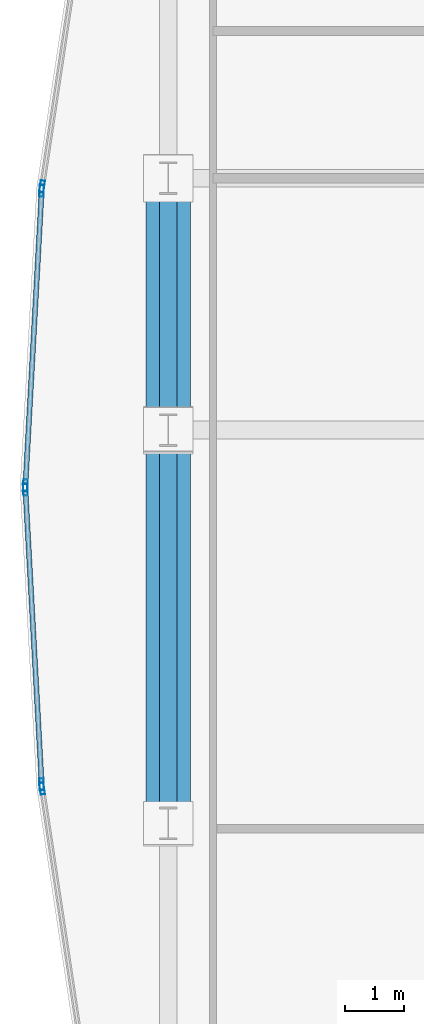
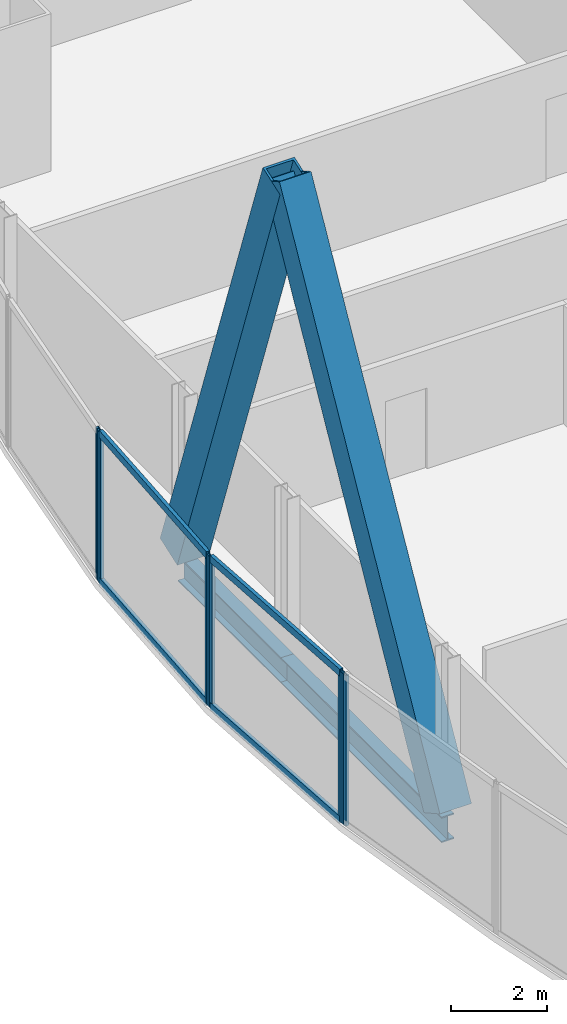
# One storey, part 10 of 36: 12 members, 2 beams, 4 elements without a shape of their own.
"""IFC4 building model written with IfcOpenShell, lengths in metres."""

from ifc_helpers import new_model, si_unit, direction, frame, origin, origin_2d, place, context, subcontext, project, spatial, hollow_rectangle, i_section, extrude, material, material_profile, profile_set, type_object, element, aggregate, save


model = new_model("IFC4")

# Units and contexts
model_context = context("Model", 3, precision=1e-05, world=origin(), true_north=direction((0.0, 1.0)))
body_context = subcontext(model_context, "Body", "Model", "MODEL_VIEW")
ifc_project = project(units=[si_unit("LENGTHUNIT", "METRE"), si_unit("AREAUNIT", "SQUARE_METRE"), si_unit("VOLUMEUNIT", "CUBIC_METRE"), si_unit("PLANEANGLEUNIT", "RADIAN"), si_unit("MASSUNIT", "GRAM", prefix="KILO")], contexts=[model_context])

# Site, building, storey
site_placement = place(None, origin())
site = spatial("IfcSite", under=ifc_project, at=site_placement, CompositionType="ELEMENT")
building_placement = place(site_placement, origin())
building = spatial("IfcBuilding", under=site, at=building_placement, Name="Khoronbel Lancet Exchange", CompositionType="ELEMENT")
storey_placement = place(building_placement, frame((0.0, 0.0, 49.800048828125)))
storey = spatial("IfcBuildingStorey", under=building, at=storey_placement, Name="L11", CompositionType="ELEMENT", Elevation=49.800048828125)

# Beams
ifc_material_1 = material(Name="Steel S355", Category="steel")
ifc_material_profile_1 = material_profile(ifc_material_1, i_section(OverallWidth=0.300048828125, OverallDepth=0.64990234375, WebThickness=0.01611328125, FlangeThickness=0.031005859375, at=origin_2d()), Name="HEB 650")
ifc_profile_set_1 = profile_set([ifc_material_profile_1], Name="Steel S355")
beam_type = type_object("IfcBeamType", Name="BM-BSP1", PredefinedType="SPANDREL", material=ifc_profile_set_1)
beam_1_placement = place(storey_placement, frame((1.27001953125, 35.699951171875, -0.505126953125), z_axis=(0.0, -1.0, 0.0), x_axis=(1.0, 0.0, 0.0)))
element("IfcBeam", 1, at=beam_1_placement, inside=storey, type_object=beam_type, Name="Level L11 perimeter spandrel beam SP18", PredefinedType="SPANDREL", context=body_context, shape_type="SweptSolid", body=[
    extrude(i_section(OverallWidth=0.300048828125, OverallDepth=0.64990234375, WebThickness=0.01611328125, FlangeThickness=0.031005859375, at=origin_2d()), origin(), (0.0, 0.0, 1.0), 4.27490234375),
])
beam_2_placement = place(storey_placement, frame((1.27001953125, 31.425048828125, -0.505126953125), z_axis=(0.0, -1.0, 0.0), x_axis=(1.0, 0.0, 0.0)))
element("IfcBeam", 2, at=beam_2_placement, inside=storey, type_object=beam_type, Name="Level L11 perimeter spandrel beam SP19", PredefinedType="SPANDREL", context=body_context, shape_type="SweptSolid", body=[
    extrude(i_section(OverallWidth=0.300048828125, OverallDepth=0.64990234375, WebThickness=0.01611328125, FlangeThickness=0.031005859375, at=origin_2d()), origin(), (0.0, 0.0, 1.0), 6.675048828125),
])

# Curtain wall, member
ifc_material_2 = material(Name="Low-E Solar Control Insulating Glass", Category="glass")
curtain_wall_type = type_object("IfcCurtainWallType", Name="CW-4", PredefinedType="NOTDEFINED", material=ifc_material_2)
curtain_wall_1_placement = place(storey_placement, origin())
curtain_wall_1 = element("IfcCurtainWall", 3, at=curtain_wall_1_placement, inside=storey, type_object=curtain_wall_type, Name="Unitised curtain wall CW-L11-E05", PredefinedType="NOTDEFINED")
ifc_material_3 = material(Name="Bronze-Anodised Aluminium 6063-T6", Category="aluminium")
ifc_material_profile_2 = material_profile(ifc_material_3, hollow_rectangle(XDim=0.074951171875, YDim=0.199951171875, WallThickness=0.0048828125, at=origin_2d()), Name="ALU MULLION 75x200")
ifc_profile_set_2 = profile_set([ifc_material_profile_2], Name="Bronze-Anodised Aluminium 6063-T6")
member_type_1 = type_object("IfcMemberType", Name="MEM-CWM2", PredefinedType="MULLION", material=ifc_profile_set_2)
member_1_placement = place(storey_placement, frame((-0.8701171875, 25.3388671875, 0.0), z_axis=(0.0, 0.0, 1.0), x_axis=(-0.988799357855, -0.149250895825, 0.0)))
member_1 = element("IfcMember", 4, at=member_1_placement, type_object=member_type_1, Name="CW4 mullion 2", PredefinedType="MULLION", context=body_context, shape_type="SweptSolid", body=[
    extrude(hollow_rectangle(XDim=0.074951171875, YDim=0.199951171875, WallThickness=0.0048828125, at=origin_2d()), origin(), (0.0, 0.0, 1.0), 3.820068359375),
])
aggregate(curtain_wall_1, [member_1])

# Curtain wall, members
curtain_wall_2_placement = place(storey_placement, origin())
curtain_wall_2 = element("IfcCurtainWall", 5, at=curtain_wall_2_placement, inside=storey, type_object=curtain_wall_type, Name="Unitised curtain wall CW-L11-E06", PredefinedType="NOTDEFINED")
member_2_placement = place(storey_placement, frame((-0.8779296875, 25.413330078125, 0.0), z_axis=(0.0, 0.0, 1.0), x_axis=(-0.998477681335, -0.05515722869, 0.0)))
member_2 = element("IfcMember", 6, at=member_2_placement, type_object=member_type_1, Name="CW4 mullion 1", PredefinedType="MULLION", context=body_context, shape_type="SweptSolid", body=[
    extrude(hollow_rectangle(XDim=0.074951171875, YDim=0.199951171875, WallThickness=0.0048828125, at=origin_2d()), origin(), (0.0, 0.0, 1.0), 3.820068359375),
])
member_3_placement = place(storey_placement, frame((-1.154052734375, 30.41259765625, 0.0), z_axis=(0.0, 0.0, 1.0), x_axis=(-0.998477681335, -0.05515722869, 0.0)))
member_3 = element("IfcMember", 7, at=member_3_placement, type_object=member_type_1, Name="CW4 mullion 2", PredefinedType="MULLION", context=body_context, shape_type="SweptSolid", body=[
    extrude(hollow_rectangle(XDim=0.074951171875, YDim=0.199951171875, WallThickness=0.0048828125, at=origin_2d()), origin(), (0.0, 0.0, 1.0), 3.820068359375),
])

curtain_wall_3_placement = place(storey_placement, origin())
curtain_wall_3 = element("IfcCurtainWall", 8, at=curtain_wall_3_placement, inside=storey, type_object=curtain_wall_type, Name="Unitised curtain wall CW-L11-E07", PredefinedType="NOTDEFINED")
member_4_placement = place(storey_placement, frame((-1.154052734375, 30.487548828125, 0.0), z_axis=(0.0, 0.0, 1.0), x_axis=(-0.998477681335, 0.05515722869, 0.0)))
member_4 = element("IfcMember", 9, at=member_4_placement, type_object=member_type_1, Name="CW4 mullion 1", PredefinedType="MULLION", context=body_context, shape_type="SweptSolid", body=[
    extrude(hollow_rectangle(XDim=0.074951171875, YDim=0.199951171875, WallThickness=0.0048828125, at=origin_2d()), origin(), (0.0, 0.0, 1.0), 3.820068359375),
])
member_5_placement = place(storey_placement, frame((-0.8779296875, 35.486572265625, 0.0), z_axis=(0.0, 0.0, 1.0), x_axis=(-0.998477681335, 0.05515722869, 0.0)))
member_5 = element("IfcMember", 10, at=member_5_placement, type_object=member_type_1, Name="CW4 mullion 2", PredefinedType="MULLION", context=body_context, shape_type="SweptSolid", body=[
    extrude(hollow_rectangle(XDim=0.074951171875, YDim=0.199951171875, WallThickness=0.0048828125, at=origin_2d()), origin(), (0.0, 0.0, 1.0), 3.820068359375),
])

# Curtain wall, member
curtain_wall_4_placement = place(storey_placement, origin())
curtain_wall_4 = element("IfcCurtainWall", 11, at=curtain_wall_4_placement, inside=storey, type_object=curtain_wall_type, Name="Unitised curtain wall CW-L11-E08", PredefinedType="NOTDEFINED")
member_6_placement = place(storey_placement, frame((-0.8701171875, 35.561279296875, 0.0), z_axis=(0.0, 0.0, 1.0), x_axis=(-0.988799357855, 0.149250895825, 0.0)))
member_6 = element("IfcMember", 12, at=member_6_placement, type_object=member_type_1, Name="CW4 mullion 1", PredefinedType="MULLION", context=body_context, shape_type="SweptSolid", body=[
    extrude(hollow_rectangle(XDim=0.074951171875, YDim=0.199951171875, WallThickness=0.0048828125, at=origin_2d()), origin(), (0.0, 0.0, 1.0), 3.820068359375),
])
aggregate(curtain_wall_4, [member_6])

# Member
ifc_material_profile_3 = material_profile(ifc_material_3, hollow_rectangle(XDim=0.0849609375, YDim=0.179931640625, WallThickness=0.0048828125, at=origin_2d()), Name="ALU TRANSOM 85x180")
ifc_profile_set_3 = profile_set([ifc_material_profile_3], Name="Bronze-Anodised Aluminium 6063-T6")
member_type_2 = type_object("IfcMemberType", Name="MEM-CWT1", PredefinedType="USERDEFINED", material=ifc_profile_set_3)
member_7_placement = place(storey_placement, frame((-0.8798828125, 25.45068359375, 0.04248046875), z_axis=(-0.05514649467, 0.998478274238, 0.0), x_axis=(-0.998478274238, -0.05514649467, 0.0)))
member_7 = element("IfcMember", 13, at=member_7_placement, type_object=member_type_2, Name="CW4 transom 1.1", ObjectType="TRANSOM", PredefinedType="USERDEFINED", context=body_context, shape_type="SweptSolid", body=[
    extrude(hollow_rectangle(XDim=0.0849609375, YDim=0.179931640625, WallThickness=0.0048828125, at=origin_2d()), origin(), (0.0, 0.0, 1.0), 4.931884765625),
])

member_8_placement = place(storey_placement, frame((-0.8798828125, 25.45068359375, 3.77734375), z_axis=(-0.05514649467, 0.998478274238, 0.0), x_axis=(-0.998478274238, -0.05514649467, 0.0)))
member_8 = element("IfcMember", 14, at=member_8_placement, type_object=member_type_2, Name="CW4 transom 1.2", ObjectType="TRANSOM", PredefinedType="USERDEFINED", context=body_context, shape_type="SweptSolid", body=[
    extrude(hollow_rectangle(XDim=0.0849609375, YDim=0.179931640625, WallThickness=0.0048828125, at=origin_2d()), origin(), (0.0, 0.0, 1.0), 4.931884765625),
])

aggregate(curtain_wall_2, [member_2, member_3, member_7, member_8])

member_9_placement = place(storey_placement, frame((-1.15185546875, 30.52490234375, 0.04248046875), z_axis=(0.05514649467, 0.998478274238, 0.0), x_axis=(-0.998478274238, 0.05514649467, 0.0)))
member_9 = element("IfcMember", 15, at=member_9_placement, type_object=member_type_2, Name="CW4 transom 1.1", ObjectType="TRANSOM", PredefinedType="USERDEFINED", context=body_context, shape_type="SweptSolid", body=[
    extrude(hollow_rectangle(XDim=0.0849609375, YDim=0.179931640625, WallThickness=0.0048828125, at=origin_2d()), origin(), (0.0, 0.0, 1.0), 4.931884765625),
])

member_10_placement = place(storey_placement, frame((-1.15185546875, 30.52490234375, 3.77734375), z_axis=(0.05514649467, 0.998478274238, 0.0), x_axis=(-0.998478274238, 0.05514649467, 0.0)))
member_10 = element("IfcMember", 16, at=member_10_placement, type_object=member_type_2, Name="CW4 transom 1.2", ObjectType="TRANSOM", PredefinedType="USERDEFINED", context=body_context, shape_type="SweptSolid", body=[
    extrude(hollow_rectangle(XDim=0.0849609375, YDim=0.179931640625, WallThickness=0.0048828125, at=origin_2d()), origin(), (0.0, 0.0, 1.0), 4.931884765625),
])

aggregate(curtain_wall_3, [member_4, member_5, member_9, member_10])

# Members
ifc_material_4 = material(Name="Steel S460", Category="steel")
ifc_material_profile_4 = material_profile(ifc_material_4, hollow_rectangle(XDim=0.760009765625, YDim=0.760009765625, WallThickness=0.054931640625, at=origin_2d()), Name="BOX 760x760x55")
ifc_profile_set_4 = profile_set([ifc_material_profile_4], Name="Steel S460")
member_type_3 = type_object("IfcMemberType", Name="MEM-MB1", PredefinedType="BRACE", material=ifc_profile_set_4)
member_11_placement = place(storey_placement, frame((1.27001953125, 24.75, 0.0), z_axis=(0.0, 0.486109322328, 0.873898007061), x_axis=(-1.0, 0.0, 0.0)))
element("IfcMember", 17, at=member_11_placement, inside=storey, type_object=member_type_3, Name="Perimeter lancet brace tier 3 W-P-L", PredefinedType="BRACE", context=body_context, shape_type="SweptSolid", body=[
    extrude(hollow_rectangle(XDim=0.760009765625, YDim=0.760009765625, WallThickness=0.054931640625, at=origin_2d()), origin(), (0.0, 0.0, 1.0), 13.731689453125),
])
member_12_placement = place(storey_placement, frame((1.27001953125, 35.699951171875, 0.0), z_axis=(0.0, -0.335583554792, 0.94201044461), x_axis=(1.0, 0.0, 0.0)))
element("IfcMember", 18, at=member_12_placement, inside=storey, type_object=member_type_3, Name="Perimeter lancet brace tier 3 W-P-R", PredefinedType="BRACE", context=body_context, shape_type="SweptSolid", body=[
    extrude(hollow_rectangle(XDim=0.760009765625, YDim=0.760009765625, WallThickness=0.054931640625, at=origin_2d()), origin(), (0.0, 0.0, 1.0), 12.73876953125),
])

save(model, "model.ifc")
